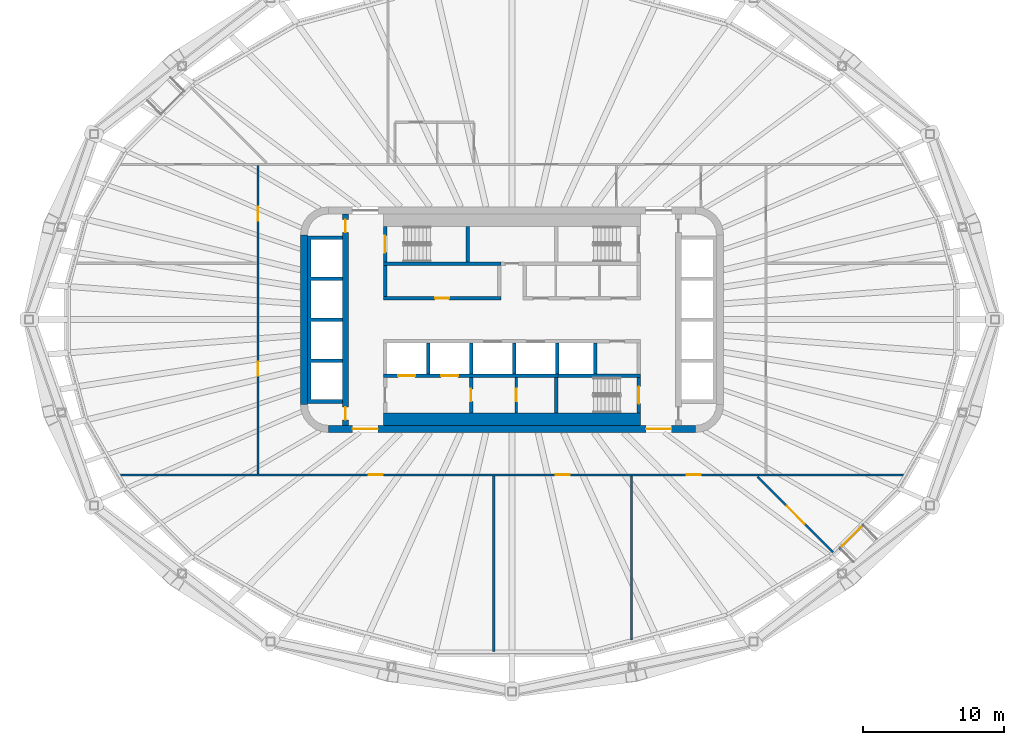
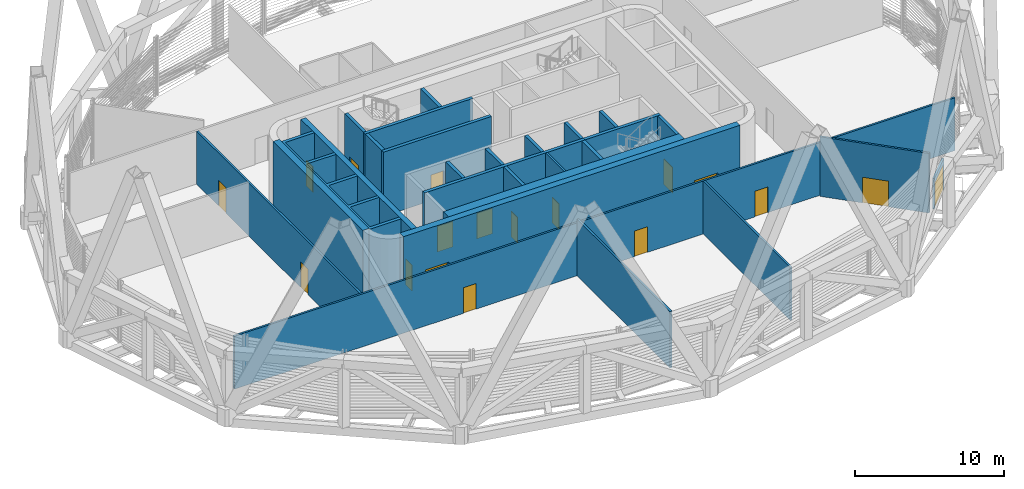
# One storey, part 6 of 18: 27 walls, 18 doors, 18 openings.
"""IFC4 building model written with IfcOpenShell, lengths in metres."""

from ifc_helpers import new_model, si_unit, direction, frame, frame_2d, origin, place, context, subcontext, project, spatial, polyline, rectangle, outline, extrude, material, layer, layer_set, type_object, element, fill, save


model = new_model("IFC4")

# Units and contexts
model_context = context("Model", 3, precision=1e-05, world=origin(), true_north=direction((0.0, 1.0)))
body_context = subcontext(model_context, "Body", "Model", "MODEL_VIEW")
ifc_project = project(units=[si_unit("LENGTHUNIT", "METRE"), si_unit("AREAUNIT", "SQUARE_METRE"), si_unit("VOLUMEUNIT", "CUBIC_METRE"), si_unit("PLANEANGLEUNIT", "RADIAN"), si_unit("MASSUNIT", "GRAM", prefix="KILO")], contexts=[model_context])

# Site, building, storey
site_placement = place(None, origin())
site = spatial("IfcSite", under=ifc_project, at=site_placement, CompositionType="ELEMENT")
building_placement = place(site_placement, origin())
building = spatial("IfcBuilding", under=site, at=building_placement, Name="Sahrelin Media Tower", CompositionType="ELEMENT")
storey_placement = place(building_placement, frame((0.0, 0.0, 148.199951171875)))
storey = spatial("IfcBuildingStorey", under=building, at=storey_placement, Name="L30", CompositionType="ELEMENT", Elevation=148.199951171875)

# Wall, openings, doors
ifc_material_1 = material(Name="Concrete C60/75", Category="concrete")
ifc_layer_1 = layer(ifc_material_1, 0.5)
ifc_layer_set_1 = layer_set([ifc_layer_1], Name="Core wall 500")
wall_type_1 = type_object("IfcWallType", Name="Core wall 500", PredefinedType="SHEAR", material=ifc_layer_set_1)
wall_1_placement = place(storey_placement, frame((-13.0, -7.75, 0.0), z_axis=(0.0, 0.0, 1.0), x_axis=(1.0, 0.0, 0.0)))
wall_1 = element("IfcWall", 1, at=wall_1_placement, inside=storey, type_object=wall_type_1, Name="Core wall S L30", PredefinedType="SHEAR", context=body_context, shape_type="SweptSolid", body=[
    extrude(rectangle(XDim=26.0, YDim=0.5, at=frame_2d((13.0, 0.0))), origin(), (0.0, 0.0, 1.0), 5.400146484375),
])
opening_1_placement = place(wall_1_placement, frame((1.699951171875, 0.0, 0.0)))
opening_1 = element("IfcOpeningElement", 2, at=opening_1_placement, cuts=wall_1, Name="Opening L30-D19", PredefinedType="OPENING", context=body_context, shape_type="SweptSolid", body=[
    extrude(rectangle(XDim=1.800048828125, YDim=2.10009765625, at=frame_2d((0.89990234375, 1.050048828125))), frame((0.0, 0.25, 0.0), z_axis=(0.0, -1.0, 0.0), x_axis=(1.0, 0.0, 0.0)), (0.0, 0.0, 1.0), 0.5),
])
opening_2_placement = place(wall_1_placement, frame((22.5, 0.0, 0.0)))
opening_2 = element("IfcOpeningElement", 3, at=opening_2_placement, cuts=wall_1, Name="Opening L30-D20", PredefinedType="OPENING", context=body_context, shape_type="SweptSolid", body=[
    extrude(rectangle(XDim=1.800048828125, YDim=2.10009765625, at=frame_2d((0.89990234375, 1.050048828125))), frame((0.0, 0.25, 0.0), z_axis=(0.0, -1.0, 0.0), x_axis=(1.0, 0.0, 0.0)), (0.0, 0.0, 1.0), 0.5),
])
ifc_material_2 = material(Name="Steel fire door leaf", Category="steel")
door_type_1 = type_object("IfcDoorType", Name="Lobby double door 1800 x 2100 EI 60", OperationType="DOUBLE_DOOR_SINGLE_SWING", PredefinedType="DOOR", material=ifc_material_2)
door_1_placement = place(opening_1_placement, origin())
door_1 = element("IfcDoor", 4, at=door_1_placement, inside=storey, type_object=door_type_1, Name="Lobby door", OperationType="DOUBLE_DOOR_SINGLE_SWING", OverallHeight=2.10009765625, OverallWidth=1.800048828125, PredefinedType="DOOR", context=body_context, shape_type="SweptSolid", body=[
    extrude(rectangle(XDim=1.800048828125, YDim=2.10009765625, at=frame_2d((0.89990234375, 1.050048828125))), frame((0.0, 0.02490234375, 0.0), z_axis=(0.0, -1.0, 0.0), x_axis=(1.0, 0.0, 0.0)), (0.0, 0.0, 1.0), 0.050048828125),
])
fill(opening_1, door_1)
door_2_placement = place(opening_2_placement, origin())
door_2 = element("IfcDoor", 5, at=door_2_placement, inside=storey, type_object=door_type_1, Name="Lobby door", OperationType="DOUBLE_DOOR_SINGLE_SWING", OverallHeight=2.10009765625, OverallWidth=1.800048828125, PredefinedType="DOOR", context=body_context, shape_type="SweptSolid", body=[
    extrude(rectangle(XDim=1.800048828125, YDim=2.10009765625, at=frame_2d((0.89990234375, 1.050048828125))), frame((0.0, 0.02490234375, 0.0), z_axis=(0.0, -1.0, 0.0), x_axis=(1.0, 0.0, 0.0)), (0.0, 0.0, 1.0), 0.050048828125),
])
fill(opening_2, door_2)

# Wall
wall_2_placement = place(storey_placement, frame((-14.75, -6.0, 0.0), z_axis=(0.0, 0.0, 1.0), x_axis=(0.0, 1.0, 0.0)))
element("IfcWall", 6, at=wall_2_placement, inside=storey, type_object=wall_type_1, Name="Core wall W L30", PredefinedType="SHEAR", context=body_context, shape_type="SweptSolid", body=[
    extrude(rectangle(XDim=12.0, YDim=0.5, at=frame_2d((6.0, 0.0))), origin(), (0.0, 0.0, 1.0), 5.400146484375),
])

# Wall, opening, door
ifc_material_3 = material(Name="Fire-rated gypsum board partition")
ifc_layer_2 = layer(ifc_material_3, 0.25)
ifc_layer_set_2 = layer_set([ifc_layer_2], Name="Fire-rated lobby wall 250")
wall_type_2 = type_object("IfcWallType", Name="Fire-rated lobby wall 250", PredefinedType="PARTITIONING", material=ifc_layer_set_2)
wall_3_placement = place(storey_placement, frame((-9.125, 1.52490234375, 0.0), z_axis=(0.0, 0.0, 1.0), x_axis=(1.0, 0.0, 0.0)))
wall_3 = element("IfcWall", 7, at=wall_3_placement, inside=storey, type_object=wall_type_2, Name="Core lobby wall", PredefinedType="PARTITIONING", context=body_context, shape_type="SweptSolid", body=[
    extrude(rectangle(XDim=8.35009765625, YDim=0.25, at=frame_2d((4.175048828125, 0.0))), origin(), (0.0, 0.0, 1.0), 5.25),
])
opening_3_placement = place(wall_3_placement, frame((3.675048828125, 0.0, 0.0)))
opening_3 = element("IfcOpeningElement", 8, at=opening_3_placement, cuts=wall_3, Name="Opening L30-D08", PredefinedType="OPENING", context=body_context, shape_type="SweptSolid", body=[
    extrude(rectangle(XDim=1.0, YDim=2.10009765625, at=frame_2d((0.5, 1.050048828125))), frame((0.0, 0.125, 0.0), z_axis=(0.0, -1.0, 0.0), x_axis=(1.0, 0.0, 0.0)), (0.0, 0.0, 1.0), 0.25),
])
door_type_2 = type_object("IfcDoorType", Name="Fire door 1000 x 2100 EI 60", OperationType="NOTDEFINED", PredefinedType="DOOR", material=ifc_material_2)
door_3_placement = place(opening_3_placement, origin())
door_3 = element("IfcDoor", 9, at=door_3_placement, inside=storey, type_object=door_type_2, Name="Core room door", OperationType="SINGLE_SWING_LEFT", OverallHeight=2.10009765625, OverallWidth=1.0, PredefinedType="DOOR", context=body_context, shape_type="SweptSolid", body=[
    extrude(rectangle(XDim=1.0, YDim=2.10009765625, at=frame_2d((0.5, 1.050048828125))), frame((0.0, 0.02490234375, 0.0), z_axis=(0.0, -1.0, 0.0), x_axis=(1.0, 0.0, 0.0)), (0.0, 0.0, 1.0), 0.050048828125),
])
fill(opening_3, door_3)

# Wall
wall_4_placement = place(storey_placement, frame((-9.0, 1.64990234375, 0.0), z_axis=(0.0, 0.0, 1.0), x_axis=(0.0, 1.0, 0.0)))
element("IfcWall", 10, at=wall_4_placement, inside=storey, type_object=wall_type_2, Name="Core lobby wall", PredefinedType="PARTITIONING", context=body_context, shape_type="SweptSolid", body=[
    extrude(rectangle(XDim=2.2001953125, YDim=0.25, at=frame_2d((1.10009765625, 0.0))), origin(), (0.0, 0.0, 1.0), 5.25),
])

# Wall, opening, door
ifc_layer_3 = layer(ifc_material_3, 0.14990234375)
ifc_layer_set_3 = layer_set([ifc_layer_3], Name="Fire-rated partition 150")
wall_type_3 = type_object("IfcWallType", Name="Fire-rated partition 150", PredefinedType="PARTITIONING", material=ifc_layer_set_3)
wall_5_placement = place(storey_placement, frame((0.300048828125, -6.60009765625, 0.0), z_axis=(0.0, 0.0, 1.0), x_axis=(0.0, 1.0, 0.0)))
wall_5 = element("IfcWall", 11, at=wall_5_placement, inside=storey, type_object=wall_type_3, Name="Core room fire partition", PredefinedType="PARTITIONING", context=body_context, shape_type="SweptSolid", body=[
    extrude(rectangle(XDim=2.5, YDim=0.14990234375, at=frame_2d((1.25, 0.0))), origin(), (0.0, 0.0, 1.0), 5.25),
])
opening_4_placement = place(wall_5_placement, frame((0.800048828125, 0.0, 0.0)))
opening_4 = element("IfcOpeningElement", 12, at=opening_4_placement, cuts=wall_5, Name="Opening L30-D07", PredefinedType="OPENING", context=body_context, shape_type="SweptSolid", body=[
    extrude(rectangle(XDim=0.89990234375, YDim=2.10009765625, at=frame_2d((0.449951171875, 1.050048828125))), frame((0.0, 0.074951171875, 0.0), z_axis=(0.0, -1.0, 0.0), x_axis=(1.0, 0.0, 0.0)), (0.0, 0.0, 1.0), 0.14990234375),
])
door_type_3 = type_object("IfcDoorType", Name="Fire door 900 x 2100 EI 60", OperationType="NOTDEFINED", PredefinedType="DOOR", material=ifc_material_2)
door_4_placement = place(opening_4_placement, origin())
door_4 = element("IfcDoor", 13, at=door_4_placement, inside=storey, type_object=door_type_3, Name="Core room door", OperationType="SINGLE_SWING_RIGHT", OverallHeight=2.10009765625, OverallWidth=0.89990234375, PredefinedType="DOOR", context=body_context, shape_type="SweptSolid", body=[
    extrude(rectangle(XDim=0.89990234375, YDim=2.10009765625, at=frame_2d((0.449951171875, 1.050048828125))), frame((0.0, 0.02490234375, 0.0), z_axis=(0.0, -1.0, 0.0), x_axis=(1.0, 0.0, 0.0)), (0.0, 0.0, 1.0), 0.050048828125),
])
fill(opening_4, door_4)

# Wall, openings, doors
wall_6_placement = place(storey_placement, frame((-27.858154296875, -11.0, 0.0), z_axis=(0.0, 0.0, 1.0), x_axis=(1.0, 0.0, 0.0)))
wall_6 = element("IfcWall", 14, at=wall_6_placement, inside=storey, type_object=wall_type_3, Name="Wall", PredefinedType="PARTITIONING", context=body_context, shape_type="SweptSolid", body=[
    extrude(rectangle(XDim=55.71630859375, YDim=0.14990234375, at=frame_2d((27.858154296875, 0.0))), origin(), (0.0, 0.0, 1.0), 4.3271484375),
])
opening_5_placement = place(wall_6_placement, frame((17.699951171875, 0.0, 0.0)))
opening_5 = element("IfcOpeningElement", 15, at=opening_5_placement, cuts=wall_6, Name="Opening L30-D22", PredefinedType="OPENING", context=body_context, shape_type="SweptSolid", body=[
    extrude(rectangle(XDim=1.0, YDim=2.10009765625, at=frame_2d((0.5, 1.050048828125))), frame((0.0, 0.074951171875, 0.0), z_axis=(0.0, -1.0, 0.0), x_axis=(1.0, 0.0, 0.0)), (0.0, 0.0, 1.0), 0.14990234375),
])
opening_6_placement = place(wall_6_placement, frame((30.949951171875, 0.0, 0.0)))
opening_6 = element("IfcOpeningElement", 16, at=opening_6_placement, cuts=wall_6, Name="Opening L30-D23", PredefinedType="OPENING", context=body_context, shape_type="SweptSolid", body=[
    extrude(rectangle(XDim=1.0, YDim=2.10009765625, at=frame_2d((0.5, 1.050048828125))), frame((0.0, 0.074951171875, 0.0), z_axis=(0.0, -1.0, 0.0), x_axis=(1.0, 0.0, 0.0)), (0.0, 0.0, 1.0), 0.14990234375),
])
opening_7_placement = place(wall_6_placement, frame((40.25, 0.0, 0.0)))
opening_7 = element("IfcOpeningElement", 17, at=opening_7_placement, cuts=wall_6, Name="Opening L30-D24", PredefinedType="OPENING", context=body_context, shape_type="SweptSolid", body=[
    extrude(rectangle(XDim=1.0, YDim=2.10009765625, at=frame_2d((0.5, 1.050048828125))), frame((0.0, 0.074951171875, 0.0), z_axis=(0.0, -1.0, 0.0), x_axis=(1.0, 0.0, 0.0)), (0.0, 0.0, 1.0), 0.14990234375),
])
door_5_placement = place(opening_5_placement, origin())
door_5 = element("IfcDoor", 18, at=door_5_placement, inside=storey, type_object=door_type_2, Name="Fire door", OperationType="SINGLE_SWING_LEFT", OverallHeight=2.10009765625, OverallWidth=1.0, PredefinedType="DOOR", context=body_context, shape_type="SweptSolid", body=[
    extrude(rectangle(XDim=1.0, YDim=2.10009765625, at=frame_2d((0.5, 1.050048828125))), frame((0.0, 0.02490234375, 0.0), z_axis=(0.0, -1.0, 0.0), x_axis=(1.0, 0.0, 0.0)), (0.0, 0.0, 1.0), 0.050048828125),
])
fill(opening_5, door_5)
door_6_placement = place(opening_6_placement, origin())
door_6 = element("IfcDoor", 19, at=door_6_placement, inside=storey, type_object=door_type_2, Name="Fire door", OperationType="SINGLE_SWING_RIGHT", OverallHeight=2.10009765625, OverallWidth=1.0, PredefinedType="DOOR", context=body_context, shape_type="SweptSolid", body=[
    extrude(rectangle(XDim=1.0, YDim=2.10009765625, at=frame_2d((0.5, 1.050048828125))), frame((0.0, 0.02490234375, 0.0), z_axis=(0.0, -1.0, 0.0), x_axis=(1.0, 0.0, 0.0)), (0.0, 0.0, 1.0), 0.050048828125),
])
fill(opening_6, door_6)
door_7_placement = place(opening_7_placement, origin())
door_7 = element("IfcDoor", 20, at=door_7_placement, inside=storey, type_object=door_type_2, Name="Fire door", OperationType="SINGLE_SWING_RIGHT", OverallHeight=2.10009765625, OverallWidth=1.0, PredefinedType="DOOR", context=body_context, shape_type="SweptSolid", body=[
    extrude(rectangle(XDim=1.0, YDim=2.10009765625, at=frame_2d((0.5, 1.050048828125))), frame((0.0, 0.02490234375, 0.0), z_axis=(0.0, -1.0, 0.0), x_axis=(1.0, 0.0, 0.0)), (0.0, 0.0, 1.0), 0.050048828125),
])
fill(opening_7, door_7)

wall_7_placement = place(storey_placement, frame((-18.0, -10.925048828125, 0.0), z_axis=(0.0, 0.0, 1.0), x_axis=(0.0, 1.0, 0.0)))
wall_7 = element("IfcWall", 21, at=wall_7_placement, inside=storey, type_object=wall_type_3, Name="Wall", PredefinedType="PARTITIONING", context=body_context, shape_type="SweptSolid", body=[
    extrude(rectangle(XDim=21.85009765625, YDim=0.14990234375, at=frame_2d((10.925048828125, 0.0))), origin(), (0.0, 0.0, 1.0), 4.3271484375),
])
opening_8_placement = place(wall_7_placement, frame((6.949951171875, 0.0, 0.0)))
opening_8 = element("IfcOpeningElement", 22, at=opening_8_placement, cuts=wall_7, Name="Opening L30-D27", PredefinedType="OPENING", context=body_context, shape_type="SweptSolid", body=[
    extrude(rectangle(XDim=1.0, YDim=2.10009765625, at=frame_2d((0.5, 1.050048828125))), frame((0.0, 0.074951171875, 0.0), z_axis=(0.0, -1.0, 0.0), x_axis=(1.0, 0.0, 0.0)), (0.0, 0.0, 1.0), 0.14990234375),
])
opening_9_placement = place(wall_7_placement, frame((17.925048828125, 0.0, 0.0)))
opening_9 = element("IfcOpeningElement", 23, at=opening_9_placement, cuts=wall_7, Name="Opening L30-D28", PredefinedType="OPENING", context=body_context, shape_type="SweptSolid", body=[
    extrude(rectangle(XDim=1.0, YDim=2.10009765625, at=frame_2d((0.5, 1.050048828125))), frame((0.0, 0.074951171875, 0.0), z_axis=(0.0, -1.0, 0.0), x_axis=(1.0, 0.0, 0.0)), (0.0, 0.0, 1.0), 0.14990234375),
])
door_8_placement = place(opening_8_placement, origin())
door_8 = element("IfcDoor", 24, at=door_8_placement, inside=storey, type_object=door_type_2, Name="Fire door", OperationType="SINGLE_SWING_LEFT", OverallHeight=2.10009765625, OverallWidth=1.0, PredefinedType="DOOR", context=body_context, shape_type="SweptSolid", body=[
    extrude(rectangle(XDim=1.0, YDim=2.10009765625, at=frame_2d((0.5, 1.050048828125))), frame((0.0, 0.02490234375, 0.0), z_axis=(0.0, -1.0, 0.0), x_axis=(1.0, 0.0, 0.0)), (0.0, 0.0, 1.0), 0.050048828125),
])
fill(opening_8, door_8)
door_9_placement = place(opening_9_placement, origin())
door_9 = element("IfcDoor", 25, at=door_9_placement, inside=storey, type_object=door_type_2, Name="Fire door", OperationType="SINGLE_SWING_RIGHT", OverallHeight=2.10009765625, OverallWidth=1.0, PredefinedType="DOOR", context=body_context, shape_type="SweptSolid", body=[
    extrude(rectangle(XDim=1.0, YDim=2.10009765625, at=frame_2d((0.5, 1.050048828125))), frame((0.0, 0.02490234375, 0.0), z_axis=(0.0, -1.0, 0.0), x_axis=(1.0, 0.0, 0.0)), (0.0, 0.0, 1.0), 0.050048828125),
])
fill(opening_9, door_9)

# Wall, opening, door
wall_8_placement = place(storey_placement, frame((17.405517578125, -11.1279296875, 0.0), z_axis=(0.0, 0.0, 1.0), x_axis=(0.707090649166, -0.707122912839, 0.0)))
wall_8 = element("IfcWall", 26, at=wall_8_placement, inside=storey, type_object=wall_type_3, Name="Wall", PredefinedType="PARTITIONING", context=body_context, shape_type="SweptSolid", body=[
    extrude(rectangle(XDim=7.567138671875, YDim=0.14990234375, at=frame_2d((3.78369140625, 0.0))), origin(), (0.0, 0.0, 1.0), 4.875),
])
opening_10_placement = place(wall_8_placement, frame((2.93310546875, 0.0, 0.0)))
opening_10 = element("IfcOpeningElement", 27, at=opening_10_placement, cuts=wall_8, Name="Opening L30-D36", PredefinedType="OPENING", context=body_context, shape_type="SweptSolid", body=[
    extrude(rectangle(XDim=1.800048828125, YDim=2.10009765625, at=frame_2d((0.89990234375, 1.050048828125))), frame((0.0, 0.074951171875, 0.0), z_axis=(0.0, -1.0, 0.0), x_axis=(1.0, 0.0, 0.0)), (0.0, 0.0, 1.0), 0.14990234375),
])
door_type_4 = type_object("IfcDoorType", Name="Service double door 1800 x 2100 EI 60", OperationType="DOUBLE_DOOR_SINGLE_SWING", PredefinedType="DOOR", material=ifc_material_2)
door_10_placement = place(opening_10_placement, origin())
door_10 = element("IfcDoor", 28, at=door_10_placement, inside=storey, type_object=door_type_4, Name="Service double door", OperationType="DOUBLE_DOOR_SINGLE_SWING", OverallHeight=2.10009765625, OverallWidth=1.800048828125, PredefinedType="DOOR", context=body_context, shape_type="SweptSolid", body=[
    extrude(rectangle(XDim=1.800048828125, YDim=2.10009765625, at=frame_2d((0.89990234375, 1.050048828125))), frame((0.0, 0.02490234375, 0.0), z_axis=(0.0, -1.0, 0.0), x_axis=(1.0, 0.0, 0.0)), (0.0, 0.0, 1.0), 0.050048828125),
])
fill(opening_10, door_10)

# Walls
wall_9_placement = place(storey_placement, frame((-1.2900390625, -11.074951171875, 0.0), z_axis=(0.0, 0.0, 1.0), x_axis=(0.0, -1.0, 0.0)))
element("IfcWall", 29, at=wall_9_placement, inside=storey, type_object=wall_type_3, Name="Wall", PredefinedType="PARTITIONING", context=body_context, shape_type="SweptSolid", body=[
    extrude(rectangle(XDim=12.45751953125, YDim=0.14990234375, at=frame_2d((6.228759765625, 0.0))), origin(), (0.0, 0.0, 1.0), 4.62744140625),
])
wall_10_placement = place(storey_placement, frame((8.4599609375, -11.074951171875, 0.0), z_axis=(0.0, 0.0, 1.0), x_axis=(0.0, -1.0, 0.0)))
element("IfcWall", 30, at=wall_10_placement, inside=storey, type_object=wall_type_3, Name="Wall", PredefinedType="PARTITIONING", context=body_context, shape_type="SweptSolid", body=[
    extrude(rectangle(XDim=11.648681640625, YDim=0.14990234375, at=frame_2d((5.82421875, 0.0))), origin(), (0.0, 0.0, 1.0), 4.3271484375),
])

# Wall, opening, door
ifc_layer_4 = layer(ifc_material_3, 0.25)
ifc_layer_set_4 = layer_set([ifc_layer_4], Name="Firefighting lobby wall 250")
wall_type_4 = type_object("IfcWallType", Name="Firefighting lobby wall 250", PredefinedType="PARTITIONING", material=ifc_layer_set_4)
wall_11_placement = place(storey_placement, frame((-2.89990234375, -6.60009765625, 0.0), z_axis=(0.0, 0.0, 1.0), x_axis=(0.0, 1.0, 0.0)))
wall_11 = element("IfcWall", 31, at=wall_11_placement, inside=storey, type_object=wall_type_4, Name="Core wall", PredefinedType="PARTITIONING", context=body_context, shape_type="SweptSolid", body=[
    extrude(rectangle(XDim=2.5, YDim=0.25, at=frame_2d((1.25, 0.0))), origin(), (0.0, 0.0, 1.0), 5.25),
])
opening_11_placement = place(wall_11_placement, frame((0.800048828125, 0.0, 0.0)))
opening_11 = element("IfcOpeningElement", 32, at=opening_11_placement, cuts=wall_11, Name="Opening L30-D05", PredefinedType="OPENING", context=body_context, shape_type="SweptSolid", body=[
    extrude(rectangle(XDim=0.89990234375, YDim=2.10009765625, at=frame_2d((0.449951171875, 1.050048828125))), frame((0.0, 0.125, 0.0), z_axis=(0.0, -1.0, 0.0), x_axis=(1.0, 0.0, 0.0)), (0.0, 0.0, 1.0), 0.25),
])
door_type_5 = type_object("IfcDoorType", Name="Firefighting lobby door 900 x 2100 EI 120", OperationType="NOTDEFINED", PredefinedType="DOOR", material=ifc_material_2)
door_11_placement = place(opening_11_placement, origin())
door_11 = element("IfcDoor", 33, at=door_11_placement, inside=storey, type_object=door_type_5, Name="Riser door", OperationType="SINGLE_SWING_RIGHT", OverallHeight=2.10009765625, OverallWidth=0.89990234375, PredefinedType="DOOR", context=body_context, shape_type="SweptSolid", body=[
    extrude(rectangle(XDim=0.89990234375, YDim=2.10009765625, at=frame_2d((0.449951171875, 1.050048828125))), frame((0.0, 0.02490234375, 0.0), z_axis=(0.0, -1.0, 0.0), x_axis=(1.0, 0.0, 0.0)), (0.0, 0.0, 1.0), 0.050048828125),
])
fill(opening_11, door_11)

# Wall, openings, doors
ifc_layer_5 = layer(ifc_material_1, 0.25)
ifc_layer_set_5 = layer_set([ifc_layer_5], Name="Lift shaft wall 250")
wall_type_5 = type_object("IfcWallType", Name="Lift shaft wall 250", PredefinedType="SOLIDWALL", material=ifc_layer_set_5)
wall_12_placement = place(storey_placement, frame((-9.125, -3.97509765625, 0.0), z_axis=(0.0, 0.0, 1.0), x_axis=(1.0, 0.0, 0.0)))
wall_12 = element("IfcWall", 34, at=wall_12_placement, inside=storey, type_object=wall_type_5, Name="Lift shaft wall", PredefinedType="SOLIDWALL", context=body_context, shape_type="SweptSolid", body=[
    extrude(rectangle(XDim=12.39990234375, YDim=0.25, at=frame_2d((6.199951171875, 0.0))), origin(), (0.0, 0.0, 1.0), 5.25),
])
opening_12_placement = place(wall_12_placement, frame((1.050048828125, 0.0, 0.0)))
opening_12 = element("IfcOpeningElement", 35, at=opening_12_placement, cuts=wall_12, Name="Opening L30-LD-FF1", PredefinedType="OPENING", context=body_context, shape_type="SweptSolid", body=[
    extrude(rectangle(XDim=1.199951171875, YDim=2.10009765625, at=frame_2d((0.60009765625, 1.050048828125))), frame((0.0, 0.125, 0.0), z_axis=(0.0, -1.0, 0.0), x_axis=(1.0, 0.0, 0.0)), (0.0, 0.0, 1.0), 0.25),
])
opening_13_placement = place(wall_12_placement, frame((4.10009765625, 0.0, 0.0)))
opening_13 = element("IfcOpeningElement", 36, at=opening_13_placement, cuts=wall_12, Name="Opening L30-LD-FF2", PredefinedType="OPENING", context=body_context, shape_type="SweptSolid", body=[
    extrude(rectangle(XDim=1.199951171875, YDim=2.10009765625, at=frame_2d((0.60009765625, 1.050048828125))), frame((0.0, 0.125, 0.0), z_axis=(0.0, -1.0, 0.0), x_axis=(1.0, 0.0, 0.0)), (0.0, 0.0, 1.0), 0.25),
])
ifc_material_4 = material(Name="Stainless steel", Category="steel")
door_type_6 = type_object("IfcDoorType", Name="Lift landing door 1200 x 2100 EI 120", OperationType="DOUBLE_DOOR_SLIDING", PredefinedType="DOOR", material=ifc_material_4)
door_12_placement = place(opening_12_placement, origin())
door_12 = element("IfcDoor", 37, at=door_12_placement, inside=storey, type_object=door_type_6, Name="Lift landing door FF1", OperationType="DOUBLE_DOOR_SLIDING", OverallHeight=2.10009765625, OverallWidth=1.199951171875, PredefinedType="DOOR", context=body_context, shape_type="SweptSolid", body=[
    extrude(rectangle(XDim=1.199951171875, YDim=2.10009765625, at=frame_2d((0.60009765625, 1.050048828125))), frame((0.0, 0.02490234375, 0.0), z_axis=(0.0, -1.0, 0.0), x_axis=(1.0, 0.0, 0.0)), (0.0, 0.0, 1.0), 0.050048828125),
])
fill(opening_12, door_12)
door_13_placement = place(opening_13_placement, origin())
door_13 = element("IfcDoor", 38, at=door_13_placement, inside=storey, type_object=door_type_6, Name="Lift landing door FF2", OperationType="DOUBLE_DOOR_SLIDING", OverallHeight=2.10009765625, OverallWidth=1.199951171875, PredefinedType="DOOR", context=body_context, shape_type="SweptSolid", body=[
    extrude(rectangle(XDim=1.199951171875, YDim=2.10009765625, at=frame_2d((0.60009765625, 1.050048828125))), frame((0.0, 0.02490234375, 0.0), z_axis=(0.0, -1.0, 0.0), x_axis=(1.0, 0.0, 0.0)), (0.0, 0.0, 1.0), 0.050048828125),
])
fill(opening_13, door_13)

# Walls
wall_13_placement = place(storey_placement, frame((3.27490234375, -3.97509765625, 0.0), z_axis=(0.0, 0.0, 1.0), x_axis=(1.0, 0.0, 0.0)))
element("IfcWall", 39, at=wall_13_placement, inside=storey, type_object=wall_type_5, Name="Lift shaft wall", PredefinedType="SOLIDWALL", context=body_context, shape_type="SweptSolid", body=[
    extrude(rectangle(XDim=5.85009765625, YDim=0.25, at=frame_2d((2.925048828125, 0.0))), origin(), (0.0, 0.0, 1.0), 5.25),
])
for number, where, z_axis, x_axis, name in (
    (40, (-5.949951171875, -3.85009765625, 0.0), (0.0, 0.0, 1.0), (0.0, 1.0, 0.0), "Lift shaft wall"),
    (41, (-2.89990234375, -3.85009765625, 0.0), (0.0, 0.0, 1.0), (0.0, 1.0, 0.0), "Lift shaft wall"),
    (42, (0.14990234375, -3.85009765625, 0.0), (0.0, 0.0, 1.0), (0.0, 1.0, 0.0), "Lift shaft wall"),
    (43, (3.199951171875, -3.85009765625, 0.0), (0.0, 0.0, 1.0), (0.0, 1.0, 0.0), "Lift shaft wall"),
    (44, (5.89990234375, -3.85009765625, 0.0), (0.0, 0.0, 1.0), (0.0, 1.0, 0.0), "Lift shaft wall"),
):
    element("IfcWall", number, at=place(storey_placement, frame(where, z_axis=z_axis, x_axis=x_axis)), inside=storey, type_object=wall_type_5, Name=name, PredefinedType="SOLIDWALL", context=body_context, shape_type="SweptSolid", body=[
        extrude(rectangle(XDim=2.2001953125, YDim=0.25, at=frame_2d((1.10009765625, 0.0))), origin(), (0.0, 0.0, 1.0), 5.25),
    ])
wall_14_placement = place(storey_placement, origin())
element("IfcWall", 45, at=wall_14_placement, inside=storey, type_object=wall_type_5, Name="Lift shaft wall", PredefinedType="SOLIDWALL", context=body_context, shape_type="SweptSolid", body=[
    extrude(outline(polyline([(-12.0, -5.925048828125), (-12.0, -5.675048828125), (-14.25, -5.675048828125), (-14.25, -3.02490234375), (-12.0, -3.02490234375), (-12.0, -2.77490234375), (-14.25, -2.77490234375), (-14.25, -0.125), (-12.0, -0.125), (-12.0, 0.125), (-14.25, 0.125), (-14.25, 2.77490234375), (-12.0, 2.77490234375), (-12.0, 3.02490234375), (-14.25, 3.02490234375), (-14.25, 5.675048828125), (-12.0, 5.675048828125), (-12.0, 5.925048828125), (-14.25, 5.925048828125), (-14.5, 5.925048828125), (-14.5, 5.675048828125), (-14.5, 3.02490234375), (-14.5, 2.77490234375), (-14.5, 0.125), (-14.5, -0.125), (-14.5, -2.77490234375), (-14.5, -3.02490234375), (-14.5, -5.675048828125), (-14.5, -5.925048828125), (-14.25, -5.925048828125), (-12.0, -5.925048828125)])), origin(), (0.0, 0.0, 1.0), 5.25),
])

# Wall, openings, doors
ifc_layer_6 = layer(ifc_material_1, 0.39990234375)
ifc_layer_set_6 = layer_set([ifc_layer_6], Name="Lift shaft wall 400")
wall_type_6 = type_object("IfcWallType", Name="Lift shaft wall 400", PredefinedType="SOLIDWALL", material=ifc_layer_set_6)
wall_15_placement = place(storey_placement, frame((-11.800048828125, -7.5, 0.0), z_axis=(0.0, 0.0, 1.0), x_axis=(0.0, 1.0, 0.0)))
wall_15 = element("IfcWall", 46, at=wall_15_placement, inside=storey, type_object=wall_type_6, Name="Lift shaft wall", PredefinedType="SOLIDWALL", context=body_context, shape_type="SweptSolid", body=[
    extrude(rectangle(XDim=15.0, YDim=0.39990234375, at=frame_2d((7.5, 0.0))), origin(), (0.0, 0.0, 1.0), 5.25),
])
opening_14_placement = place(wall_15_placement, frame((13.696533203125, 0.0, 0.0)))
opening_14 = element("IfcOpeningElement", 47, at=opening_14_placement, cuts=wall_15, Name="Opening L30-D13", PredefinedType="OPENING", context=body_context, shape_type="SweptSolid", body=[
    extrude(rectangle(XDim=0.89990234375, YDim=2.10009765625, at=frame_2d((0.449951171875, 1.050048828125))), frame((0.0, 0.199951171875, 0.0), z_axis=(0.0, -1.0, 0.0), x_axis=(1.0, 0.0, 0.0)), (0.0, 0.0, 1.0), 0.39990234375),
])
opening_15_placement = place(wall_15_placement, frame((0.4033203125, 0.0, 0.0)))
opening_15 = element("IfcOpeningElement", 48, at=opening_15_placement, cuts=wall_15, Name="Opening L30-D14", PredefinedType="OPENING", context=body_context, shape_type="SweptSolid", body=[
    extrude(rectangle(XDim=0.89990234375, YDim=2.10009765625, at=frame_2d((0.449951171875, 1.050048828125))), frame((0.0, 0.199951171875, 0.0), z_axis=(0.0, -1.0, 0.0), x_axis=(1.0, 0.0, 0.0)), (0.0, 0.0, 1.0), 0.39990234375),
])
door_type_7 = type_object("IfcDoorType", Name="Riser door 900 x 2100 EI 120", OperationType="NOTDEFINED", PredefinedType="DOOR", material=ifc_material_2)
door_14_placement = place(opening_14_placement, origin())
door_14 = element("IfcDoor", 49, at=door_14_placement, inside=storey, type_object=door_type_7, Name="Riser door", OperationType="SINGLE_SWING_LEFT", OverallHeight=2.10009765625, OverallWidth=0.89990234375, PredefinedType="DOOR", context=body_context, shape_type="SweptSolid", body=[
    extrude(rectangle(XDim=0.89990234375, YDim=2.10009765625, at=frame_2d((0.449951171875, 1.050048828125))), frame((0.0, 0.02490234375, 0.0), z_axis=(0.0, -1.0, 0.0), x_axis=(1.0, 0.0, 0.0)), (0.0, 0.0, 1.0), 0.050048828125),
])
fill(opening_14, door_14)
door_15_placement = place(opening_15_placement, origin())
door_15 = element("IfcDoor", 50, at=door_15_placement, inside=storey, type_object=door_type_7, Name="Riser door", OperationType="SINGLE_SWING_LEFT", OverallHeight=2.10009765625, OverallWidth=0.89990234375, PredefinedType="DOOR", context=body_context, shape_type="SweptSolid", body=[
    extrude(rectangle(XDim=0.89990234375, YDim=2.10009765625, at=frame_2d((0.449951171875, 1.050048828125))), frame((0.0, 0.02490234375, 0.0), z_axis=(0.0, -1.0, 0.0), x_axis=(1.0, 0.0, 0.0)), (0.0, 0.0, 1.0), 0.050048828125),
])
fill(opening_15, door_15)

# Wall, opening, door
ifc_material_5 = material(Name="Aluminium louvre cladding 6063-T6", Category="aluminium")
ifc_layer_7 = layer(ifc_material_5, 0.14990234375)
ifc_layer_set_7 = layer_set([ifc_layer_7], Name="Plant louvre door wall")
wall_type_7 = type_object("IfcWallType", Name="Plant louvre door wall", PredefinedType="SOLIDWALL", material=ifc_layer_set_7)
wall_16_placement = place(storey_placement, frame((24.947998046875, -14.498779296875, 0.0), z_axis=(0.0, 0.0, 1.0), x_axis=(-0.707057949532, -0.707155609469, 0.0)))
wall_16 = element("IfcWall", 51, at=wall_16_placement, inside=storey, type_object=wall_type_7, Name="Plant louvre door wall L30-21", PredefinedType="SOLIDWALL", context=body_context, shape_type="SweptSolid", body=[
    extrude(rectangle(XDim=2.5, YDim=0.14990234375, at=frame_2d((1.25, 0.0))), origin(), (0.0, 0.0, 1.0), 2.5),
])
opening_16_placement = place(wall_16_placement, frame((0.14990234375, 0.0, 0.0)))
opening_16 = element("IfcOpeningElement", 52, at=opening_16_placement, cuts=wall_16, Name="Opening MD06", PredefinedType="OPENING", context=body_context, shape_type="SweptSolid", body=[
    extrude(rectangle(XDim=2.199951171875, YDim=2.10009765625, at=frame_2d((1.10009765625, 1.050048828125))), frame((0.0, 0.074951171875, 0.0), z_axis=(0.0, -1.0, 0.0), x_axis=(1.0, 0.0, 0.0)), (0.0, 0.0, 1.0), 0.14990234375),
])
ifc_material_6 = material(Name="Champagne anodised aluminium 6063-T6", Category="aluminium")
door_type_8 = type_object("IfcDoorType", Name="Plant maintenance door 2200x2100", OperationType="DOUBLE_DOOR_SINGLE_SWING", PredefinedType="DOOR", material=ifc_material_6)
door_16_placement = place(opening_16_placement, origin())
door_16 = element("IfcDoor", 53, at=door_16_placement, inside=storey, type_object=door_type_8, Name="Plant maintenance door MD06", OperationType="DOUBLE_DOOR_SINGLE_SWING", OverallHeight=2.10009765625, OverallWidth=2.199951171875, PredefinedType="DOOR", context=body_context, shape_type="SweptSolid", body=[
    extrude(rectangle(XDim=2.199951171875, YDim=2.10009765625, at=frame_2d((1.10009765625, 1.050048828125))), frame((0.0, 0.02490234375, 0.0), z_axis=(0.0, -1.0, 0.0), x_axis=(1.0, 0.0, 0.0)), (0.0, 0.0, 1.0), 0.050048828125),
])
fill(opening_16, door_16)

ifc_layer_8 = layer(ifc_material_1, 0.25)
ifc_layer_set_8 = layer_set([ifc_layer_8], Name="Stair enclosure wall 250")
wall_type_8 = type_object("IfcWallType", Name="Stair enclosure wall 250", PredefinedType="SOLIDWALL", material=ifc_layer_set_8)
wall_17_placement = place(storey_placement, frame((-9.0, 4.10009765625, 0.0), z_axis=(0.0, 0.0, 1.0), x_axis=(0.0, 1.0, 0.0)))
wall_17 = element("IfcWall", 54, at=wall_17_placement, inside=storey, type_object=wall_type_8, Name="Stair enclosure wall", PredefinedType="SOLIDWALL", context=body_context, shape_type="SweptSolid", body=[
    extrude(rectangle(XDim=2.5, YDim=0.25, at=frame_2d((1.25, 0.0))), origin(), (0.0, 0.0, 1.0), 5.25),
])
opening_17_placement = place(wall_17_placement, frame((0.64990234375, 0.0, 0.0)))
opening_17 = element("IfcOpeningElement", 55, at=opening_17_placement, cuts=wall_17, Name="Opening L30-D01", PredefinedType="OPENING", context=body_context, shape_type="SweptSolid", body=[
    extrude(rectangle(XDim=1.199951171875, YDim=2.10009765625, at=frame_2d((0.60009765625, 1.050048828125))), frame((0.0, 0.125, 0.0), z_axis=(0.0, -1.0, 0.0), x_axis=(1.0, 0.0, 0.0)), (0.0, 0.0, 1.0), 0.25),
])
door_type_9 = type_object("IfcDoorType", Name="Stair door 1200 x 2100 EI 120", OperationType="NOTDEFINED", PredefinedType="DOOR", material=ifc_material_2)
door_17_placement = place(opening_17_placement, origin())
door_17 = element("IfcDoor", 56, at=door_17_placement, inside=storey, type_object=door_type_9, Name="Stair door ST1", OperationType="SINGLE_SWING_RIGHT", OverallHeight=2.10009765625, OverallWidth=1.199951171875, PredefinedType="DOOR", context=body_context, shape_type="SweptSolid", body=[
    extrude(rectangle(XDim=1.199951171875, YDim=2.10009765625, at=frame_2d((0.60009765625, 1.050048828125))), frame((0.0, 0.02490234375, 0.0), z_axis=(0.0, -1.0, 0.0), x_axis=(1.0, 0.0, 0.0)), (0.0, 0.0, 1.0), 0.050048828125),
])
fill(opening_17, door_17)

wall_18_placement = place(storey_placement, frame((9.0, -6.60009765625, 0.0), z_axis=(0.0, 0.0, 1.0), x_axis=(0.0, 1.0, 0.0)))
wall_18 = element("IfcWall", 57, at=wall_18_placement, inside=storey, type_object=wall_type_8, Name="Stair enclosure wall", PredefinedType="SOLIDWALL", context=body_context, shape_type="SweptSolid", body=[
    extrude(rectangle(XDim=2.5, YDim=0.25, at=frame_2d((1.25, 0.0))), origin(), (0.0, 0.0, 1.0), 5.25),
])
opening_18_placement = place(wall_18_placement, frame((0.64990234375, 0.0, 0.0)))
opening_18 = element("IfcOpeningElement", 58, at=opening_18_placement, cuts=wall_18, Name="Opening L30-D03", PredefinedType="OPENING", context=body_context, shape_type="SweptSolid", body=[
    extrude(rectangle(XDim=1.199951171875, YDim=2.10009765625, at=frame_2d((0.60009765625, 1.050048828125))), frame((0.0, 0.125, 0.0), z_axis=(0.0, -1.0, 0.0), x_axis=(1.0, 0.0, 0.0)), (0.0, 0.0, 1.0), 0.25),
])
door_18_placement = place(opening_18_placement, origin())
door_18 = element("IfcDoor", 59, at=door_18_placement, inside=storey, type_object=door_type_9, Name="Stair door ST2", OperationType="SINGLE_SWING_LEFT", OverallHeight=2.10009765625, OverallWidth=1.199951171875, PredefinedType="DOOR", context=body_context, shape_type="SweptSolid", body=[
    extrude(rectangle(XDim=1.199951171875, YDim=2.10009765625, at=frame_2d((0.60009765625, 1.050048828125))), frame((0.0, 0.02490234375, 0.0), z_axis=(0.0, -1.0, 0.0), x_axis=(1.0, 0.0, 0.0)), (0.0, 0.0, 1.0), 0.050048828125),
])
fill(opening_18, door_18)

# Walls
for number, where, z_axis, x_axis, name in (
    (60, (-3.14990234375, 4.10009765625, 0.0), (0.0, 0.0, 1.0), (0.0, 1.0, 0.0), "Stair enclosure wall"),
    (61, (3.14990234375, -6.60009765625, 0.0), (0.0, 0.0, 1.0), (0.0, 1.0, 0.0), "Stair enclosure wall"),
):
    element("IfcWall", number, at=place(storey_placement, frame(where, z_axis=z_axis, x_axis=x_axis)), inside=storey, type_object=wall_type_8, Name=name, PredefinedType="SOLIDWALL", context=body_context, shape_type="SweptSolid", body=[
        extrude(rectangle(XDim=2.5, YDim=0.25, at=frame_2d((1.25, 0.0))), origin(), (0.0, 0.0, 1.0), 5.25),
    ])
wall_19_placement = place(storey_placement, frame((-9.125, 3.97509765625, 0.0), z_axis=(0.0, 0.0, 1.0), x_axis=(1.0, 0.0, 0.0)))
element("IfcWall", 62, at=wall_19_placement, inside=storey, type_object=wall_type_8, Name="Stair enclosure wall", PredefinedType="SOLIDWALL", context=body_context, shape_type="SweptSolid", body=[
    extrude(rectangle(XDim=8.35009765625, YDim=0.25, at=frame_2d((4.175048828125, 0.0))), origin(), (0.0, 0.0, 1.0), 5.25),
])
ifc_layer_9 = layer(ifc_material_1, 0.89990234375)
ifc_layer_set_9 = layer_set([ifc_layer_9], Name="Stair enclosure wall 900")
wall_type_9 = type_object("IfcWallType", Name="Stair enclosure wall 900", PredefinedType="SOLIDWALL", material=ifc_layer_set_9)
wall_20_placement = place(storey_placement, frame((-9.125, -7.050048828125, 0.0), z_axis=(0.0, 0.0, 1.0), x_axis=(1.0, 0.0, 0.0)))
element("IfcWall", 63, at=wall_20_placement, inside=storey, type_object=wall_type_9, Name="Stair enclosure wall", PredefinedType="SOLIDWALL", context=body_context, shape_type="SweptSolid", body=[
    extrude(rectangle(XDim=18.25, YDim=0.89990234375, at=frame_2d((9.125, 0.0))), origin(), (0.0, 0.0, 1.0), 5.25),
])

save(model, "model.ifc")
